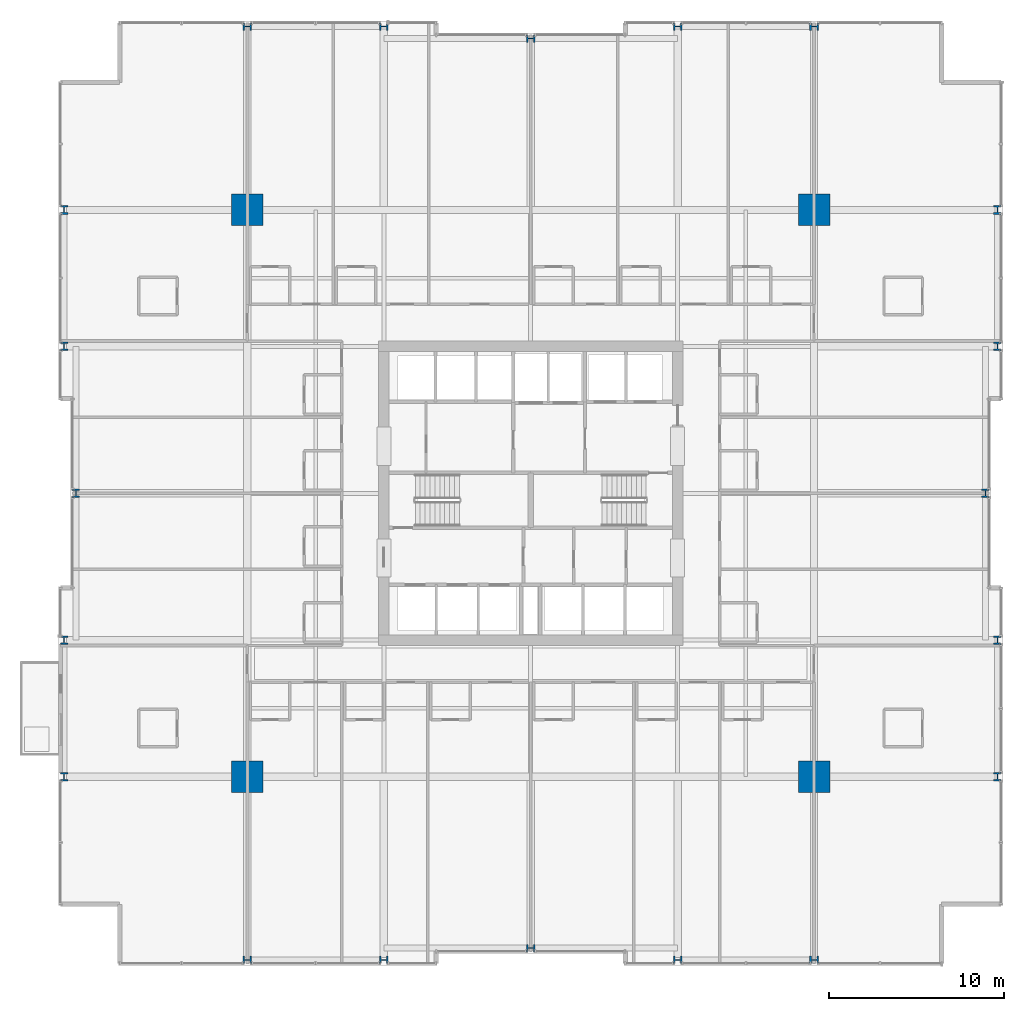
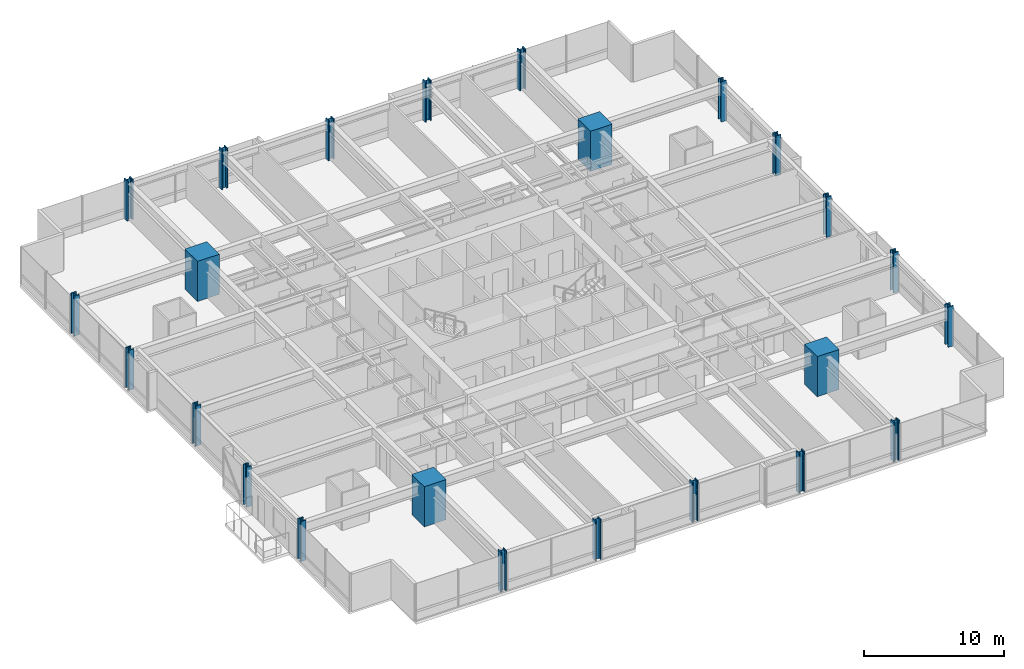
# One storey, part 1 of 39: 24 columns.
"""IFC4 building model written with IfcOpenShell, lengths in metres."""

import ifcopenshell
import ifcopenshell.guid

model = None  # the IFC model being written
_history = None  # IfcOwnerHistory: only IFC2X3 demands one
_inside = {}  # id of a spatial element -> (the spatial element, [elements in it])
_under = {}  # id of a project, library or spatial element -> (it, [spatial elements below it])
_declared = {}  # id of a project -> (the project, [libraries it declares])
_typed = {}  # id of a type object -> (the type object, [elements of that type])
_made_of = {}  # id of a material, layer set ... -> (it, [elements and type objects made of it])


def new_model(schema):
    """Start an empty IFC model of exactly this schema.

    Asked for "IFC4X3", IfcOpenShell would pick the latest addendum, in which some entities
    have other attributes; the version numbers below select the first issue.
    IFC2X3 requires an IfcOwnerHistory on every rooted entity: one is made here for all.
    """
    global model, _history
    if schema == "IFC4X3":
        model = ifcopenshell.file(schema_version=(4, 3, 0, 0))
    else:
        model = ifcopenshell.file(schema=schema)
    _inside.clear()
    _under.clear()
    _declared.clear()
    _typed.clear()
    _made_of.clear()
    _history = None
    if model.schema == "IFC2X3":
        org = make("IfcOrganization", Name="unknown")
        user = make(
            "IfcPersonAndOrganization",
            ThePerson=make("IfcPerson", FamilyName="unknown"),
            TheOrganization=org,
        )
        app = make(
            "IfcApplication",
            ApplicationDeveloper=org,
            Version="unknown",
            ApplicationFullName="unknown",
            ApplicationIdentifier="unknown",
        )
        _history = make(
            "IfcOwnerHistory",
            OwningUser=user,
            OwningApplication=app,
            ChangeAction="ADDED",
            CreationDate=0,
        )
    return model


def make(cls, **values):
    """One entity of the class cls with the attributes given. An attribute that is None is left unset."""
    return model.create_entity(
        cls, **{name: value for name, value in values.items() if value is not None}
    )


def rooted(cls, **values):
    """An entity with a GlobalId (a new one), such as an element, a storey or a relation."""
    return make(cls, GlobalId=ifcopenshell.guid.new(), OwnerHistory=_history, **values)


def si_unit(unit_type, name, prefix=None):
    """IfcSIUnit, for example si_unit("LENGTHUNIT", "METRE", prefix="MILLI")."""
    return make("IfcSIUnit", UnitType=unit_type, Prefix=prefix, Name=name)


def assignment(units):
    """IfcUnitAssignment: the units of a project."""
    return None if units is None else make("IfcUnitAssignment", Units=units)


def point(xyz):
    """IfcCartesianPoint."""
    return None if xyz is None else make("IfcCartesianPoint", Coordinates=xyz)


def direction(xyz):
    """IfcDirection."""
    return None if xyz is None else make("IfcDirection", DirectionRatios=xyz)


def frame(location, z_axis=None, x_axis=None):
    """IfcAxis2Placement3D, a coordinate frame: its origin and axes. An axis left out is left unset."""
    return make(
        "IfcAxis2Placement3D",
        Location=point(location),
        Axis=direction(z_axis),
        RefDirection=direction(x_axis),
    )


def frame_2d(location, x_axis=None):
    """IfcAxis2Placement2D, a coordinate frame in the plane: its origin and x axis."""
    return make(
        "IfcAxis2Placement2D", Location=point(location), RefDirection=direction(x_axis)
    )


def origin():
    """The frame at (0, 0, 0) with its axes left unset."""
    return frame((0.0, 0.0, 0.0))


def origin_2d():
    """The frame at (0, 0) in the plane with its x axis left unset."""
    return frame_2d((0.0, 0.0))


def place(relative_to, where):
    """IfcLocalPlacement: puts the frame where relative to a parent placement (None: the world)."""
    return make(
        "IfcLocalPlacement", PlacementRelTo=relative_to, RelativePlacement=where
    )


def context(
    kind, dimensions, precision=None, world=None, true_north=None, identifier=None
):
    """IfcGeometricRepresentationContext, for example the 3D "Model" context."""
    return make(
        "IfcGeometricRepresentationContext",
        ContextIdentifier=identifier,
        ContextType=kind,
        CoordinateSpaceDimension=dimensions,
        Precision=precision,
        WorldCoordinateSystem=world,
        TrueNorth=true_north,
    )


def subcontext(parent, identifier, kind, view, scale=None):
    """IfcGeometricRepresentationSubContext, for example "Body" below "Model"."""
    return make(
        "IfcGeometricRepresentationSubContext",
        ContextIdentifier=identifier,
        ContextType=kind,
        ParentContext=parent,
        TargetScale=scale,
        TargetView=view,
    )


def project(units=None, contexts=None):
    """IfcProject with its units and contexts."""
    return rooted(
        "IfcProject",
        Name="project",
        RepresentationContexts=contexts,
        UnitsInContext=assignment(units),
    )


def spatial(cls, under=None, at=None, **own):
    """A site, building, storey or space (cls), placed at a placement, below another one or the project."""
    s = rooted(cls, ObjectPlacement=at, **own)
    if under is not None:
        _under.setdefault(under.id(), (under, []))[1].append(s)
    return s


def profile(cls, at=None, kind="AREA", **sizes):
    """A parametric profile (cls). Its sizes go by their IFC names, for example OverallWidth=200.0."""
    return make(cls, ProfileType=kind, Position=at, **sizes)


def rectangle(**sizes):
    """IfcRectangleProfileDef."""
    return profile("IfcRectangleProfileDef", **sizes)


def i_section(**sizes):
    """IfcIShapeProfileDef."""
    return profile("IfcIShapeProfileDef", **sizes)


def extrude(swept, where, along, depth):
    """IfcExtrudedAreaSolid: the profile swept, set in the frame where, extruded along a direction by depth."""
    return make(
        "IfcExtrudedAreaSolid",
        SweptArea=swept,
        Position=where,
        ExtrudedDirection=direction(along),
        Depth=depth,
    )


def shape(context_of_items, identifier, shape_type, items):
    """IfcShapeRepresentation: the items that make up one representation, for example the "Body"."""
    return make(
        "IfcShapeRepresentation",
        ContextOfItems=context_of_items,
        RepresentationIdentifier=identifier,
        RepresentationType=shape_type,
        Items=items,
    )


def material(Name=None, Category=None):
    """IfcMaterial."""
    return make("IfcMaterial", Name=Name, Category=Category)


def material_profile(
    of_material, cross_section, Name=None, Category=None, Priority=None
):
    """IfcMaterialProfile: a cross section and its material."""
    return make(
        "IfcMaterialProfile",
        Name=Name,
        Material=of_material,
        Profile=cross_section,
        Priority=Priority,
        Category=Category,
    )


def profile_set(profiles, Name=None, composite=None):
    """IfcMaterialProfileSet."""
    return make(
        "IfcMaterialProfileSet",
        Name=Name,
        MaterialProfiles=profiles,
        CompositeProfile=composite,
    )


def made_of(thing, what):
    """Note that an element or type object is made of a material, layer set ...; save() writes the relation."""
    if what is not None:
        _made_of.setdefault(what.id(), (what, []))[1].append(thing)
    return thing


def type_object(cls, material=None, **own):
    """A type object (cls), such as IfcWallType, which elements share."""
    return made_of(rooted(cls, **own), material)


def element(
    cls,
    number,
    at=None,
    inside=None,
    cuts=None,
    type_object=None,
    material=None,
    context=None,
    identifier="Body",
    shape_type=None,
    held_by="IfcProductDefinitionShape",
    body=None,
    shapes=None,
    **own,
):
    """One element of the class cls, such as IfcWall. Its Tag is "e" and its number.

    at: its placement. inside: the storey or other place that contains it. cuts: it is an
    opening in that element (IfcRelVoidsElement). A single representation is given by context,
    identifier, shape_type and body (its items); several are given by shapes. held_by: the class
    of the entity that holds the representations. save() writes the other relations.
    """
    e = rooted(cls, Tag="e%d" % number, ObjectPlacement=at, **own)
    if body is not None:
        shapes = [shape(context, identifier, shape_type, body)]
    if shapes is not None:
        e.Representation = make(held_by, Representations=shapes)
    if inside is not None:
        _inside.setdefault(inside.id(), (inside, []))[1].append(e)
    if cuts is not None:
        rooted(
            "IfcRelVoidsElement", RelatingBuildingElement=cuts, RelatedOpeningElement=e
        )
    if type_object is not None:
        _typed.setdefault(type_object.id(), (type_object, []))[1].append(e)
    return made_of(e, material)


def aggregate(whole, parts):
    """IfcRelAggregates: a whole, such as a stair, and the parts it consists of."""
    return rooted("IfcRelAggregates", RelatingObject=whole, RelatedObjects=parts)


def save(model, path):
    """Write the relations noted so far, then the file.

    IfcRelAggregates (storeys below a building ...), IfcRelContainedInSpatialStructure (elements
    in a storey), IfcRelDefinesByType, IfcRelAssociatesMaterial and IfcRelDeclares: one each for
    every whole, place, type object, material and project.
    """
    for whole, parts in _under.values():
        aggregate(whole, parts)
    for where, things in _inside.values():
        rooted(
            "IfcRelContainedInSpatialStructure",
            RelatedElements=things,
            RelatingStructure=where,
        )
    for kind, things in _typed.values():
        rooted("IfcRelDefinesByType", RelatedObjects=things, RelatingType=kind)
    for what, things in _made_of.values():
        rooted("IfcRelAssociatesMaterial", RelatedObjects=things, RelatingMaterial=what)
    for by, libraries in _declared.values():
        rooted("IfcRelDeclares", RelatingContext=by, RelatedDefinitions=libraries)
    model.write(path)


model = new_model("IFC4")

# Units and contexts
model_context = context("Model", 3, precision=1e-05, world=origin(), true_north=direction((0.0, 1.0)))
body_context = subcontext(model_context, "Body", "Model", "MODEL_VIEW")
ifc_project = project(units=[si_unit("LENGTHUNIT", "METRE"), si_unit("AREAUNIT", "SQUARE_METRE"), si_unit("VOLUMEUNIT", "CUBIC_METRE"), si_unit("PLANEANGLEUNIT", "RADIAN"), si_unit("MASSUNIT", "GRAM", prefix="KILO")], contexts=[model_context])

# Site, building, storey
site_placement = place(None, origin())
site = spatial("IfcSite", under=ifc_project, at=site_placement, CompositionType="ELEMENT")
building_placement = place(site_placement, origin())
building = spatial("IfcBuilding", under=site, at=building_placement, Name="Drelvath Grand Hotel", CompositionType="ELEMENT")
storey_placement = place(building_placement, frame((0.0, 0.0, 40.199951171875)))
storey = spatial("IfcBuildingStorey", under=building, at=storey_placement, Name="L08", CompositionType="ELEMENT", Elevation=40.199951171875)

# Columns
ifc_material_1 = material(Name="Concrete f'c 70 MPa", Category="concrete")
ifc_material_profile_1 = material_profile(ifc_material_1, rectangle(XDim=1.800048828125, YDim=1.800048828125, at=origin_2d()), Name="MC1800X1800")
ifc_profile_set_1 = profile_set([ifc_material_profile_1], Name="Concrete f'c 70 MPa")
column_type_1 = type_object("IfcColumnType", Name="Composite Mega Column MC1800X1800", PredefinedType="COLUMN", material=ifc_profile_set_1)
for number, where, z_axis, x_axis, name in (
    (1, (-16.199951171875, 10.800048828125, 0.0), (0.0, 0.0, 1.0), (1.0, 0.0, 0.0), "L08 Composite Mega Column MC-SW"),
    (2, (16.199951171875, 10.800048828125, 0.0), (0.0, 0.0, 1.0), (1.0, 0.0, 0.0), "L08 Composite Mega Column MC-SE"),
    (3, (-16.199951171875, 43.199951171875, 0.0), (0.0, 0.0, 1.0), (1.0, 0.0, 0.0), "L08 Composite Mega Column MC-NW"),
    (4, (16.199951171875, 43.199951171875, 0.0), (0.0, 0.0, 1.0), (1.0, 0.0, 0.0), "L08 Composite Mega Column MC-NE"),
):
    element("IfcColumn", number, at=place(storey_placement, frame(where, z_axis=z_axis, x_axis=x_axis)), inside=storey, type_object=column_type_1, Name=name, PredefinedType="COLUMN", context=body_context, shape_type="SweptSolid", body=[
        extrude(rectangle(XDim=1.800048828125, YDim=1.800048828125, at=origin_2d()), origin(), (0.0, 0.0, 1.0), 3.5),
    ])
ifc_material_2 = material(Name="Steel ASTM A913 Gr 65", Category="steel")
ifc_material_profile_2 = material_profile(ifc_material_2, i_section(OverallWidth=0.43212890625, OverallDepth=0.497802734375, WebThickness=0.0556640625, FlangeThickness=0.0888671875, FilletRadius=0.030029296875, at=origin_2d()), Name="W14X500")
ifc_profile_set_2 = profile_set([ifc_material_profile_2], Name="Steel ASTM A913 Gr 65")
column_type_2 = type_object("IfcColumnType", Name="Perimeter Steel Column W14X500", PredefinedType="COLUMN", material=ifc_profile_set_2)
for number, where, z_axis, x_axis, name in (
    (5, (-26.679931640625, 10.800048828125, 0.0), (0.0, 0.0, 1.0), (1.0, 0.0, 0.0), "L08 Structural Column TCW-C"),
    (6, (26.679931640625, 10.800048828125, 0.0), (0.0, 0.0, 1.0), (1.0, 0.0, 0.0), "L08 Structural Column TCE-C"),
    (7, (-26.679931640625, 18.60009765625, 0.0), (0.0, 0.0, 1.0), (1.0, 0.0, 0.0), "L08 Structural Column TCW-D"),
    (8, (26.679931640625, 18.60009765625, 0.0), (0.0, 0.0, 1.0), (1.0, 0.0, 0.0), "L08 Structural Column TCE-D"),
    (9, (-26.0, 27.0, 0.0), (0.0, 0.0, 1.0), (1.0, 0.0, 0.0), "L08 Structural Column TCW-E"),
    (10, (26.0, 27.0, 0.0), (0.0, 0.0, 1.0), (1.0, 0.0, 0.0), "L08 Structural Column TCE-E"),
    (11, (-26.679931640625, 35.39990234375, 0.0), (0.0, 0.0, 1.0), (1.0, 0.0, 0.0), "L08 Structural Column TCW-F"),
    (12, (26.679931640625, 35.39990234375, 0.0), (0.0, 0.0, 1.0), (1.0, 0.0, 0.0), "L08 Structural Column TCE-F"),
    (13, (-26.679931640625, 43.199951171875, 0.0), (0.0, 0.0, 1.0), (1.0, 0.0, 0.0), "L08 Structural Column TCW-G"),
    (14, (26.679931640625, 43.199951171875, 0.0), (0.0, 0.0, 1.0), (1.0, 0.0, 0.0), "L08 Structural Column TCE-G"),
    (15, (-16.199951171875, 0.320068359375, 0.0), (0.0, 0.0, 1.0), (0.0, 1.0, 0.0), "L08 Structural Column TCS-3"),
    (16, (-16.199951171875, 53.679931640625, 0.0), (0.0, 0.0, 1.0), (0.0, 1.0, 0.0), "L08 Structural Column TCN-3"),
    (17, (-8.39990234375, 0.320068359375, 0.0), (0.0, 0.0, 1.0), (0.0, 1.0, 0.0), "L08 Structural Column TCS-4"),
    (18, (-8.39990234375, 53.679931640625, 0.0), (0.0, 0.0, 1.0), (0.0, 1.0, 0.0), "L08 Structural Column TCN-4"),
    (19, (0.0, 1.0, 0.0), (0.0, 0.0, 1.0), (0.0, 1.0, 0.0), "L08 Structural Column TCS-5"),
    (20, (0.0, 53.0, 0.0), (0.0, 0.0, 1.0), (0.0, 1.0, 0.0), "L08 Structural Column TCN-5"),
    (21, (8.39990234375, 0.320068359375, 0.0), (0.0, 0.0, 1.0), (0.0, 1.0, 0.0), "L08 Structural Column TCS-6"),
    (22, (8.39990234375, 53.679931640625, 0.0), (0.0, 0.0, 1.0), (0.0, 1.0, 0.0), "L08 Structural Column TCN-6"),
    (23, (16.199951171875, 0.320068359375, 0.0), (0.0, 0.0, 1.0), (0.0, 1.0, 0.0), "L08 Structural Column TCS-7"),
    (24, (16.199951171875, 53.679931640625, 0.0), (0.0, 0.0, 1.0), (0.0, 1.0, 0.0), "L08 Structural Column TCN-7"),
):
    element("IfcColumn", number, at=place(storey_placement, frame(where, z_axis=z_axis, x_axis=x_axis)), inside=storey, type_object=column_type_2, Name=name, PredefinedType="COLUMN", context=body_context, shape_type="SweptSolid", body=[
        extrude(i_section(OverallWidth=0.43212890625, OverallDepth=0.497802734375, WebThickness=0.0556640625, FlangeThickness=0.0888671875, FilletRadius=0.030029296875, at=origin_2d()), origin(), (0.0, 0.0, 1.0), 3.4970703125),
    ])

save(model, "model.ifc")
